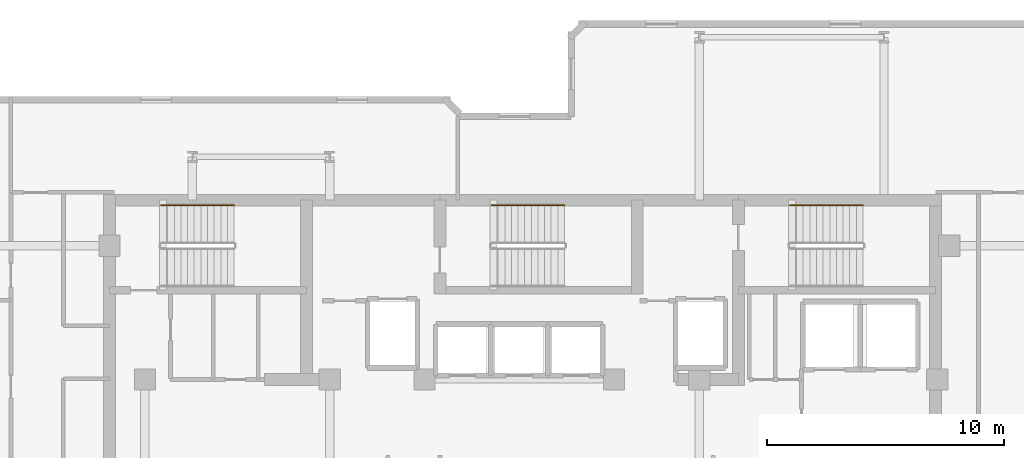
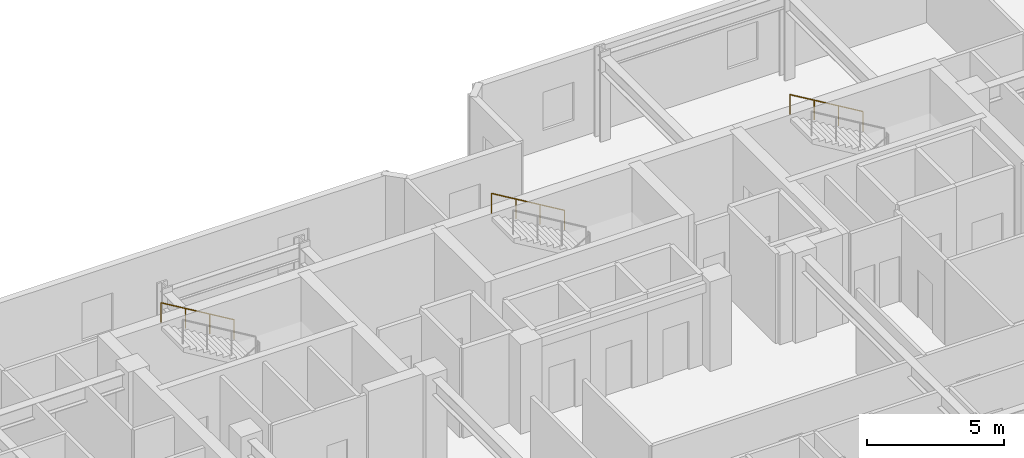
# One storey, part 11 of 11: 3 railings.
"""IFC4 building model written with IfcOpenShell, lengths in metres."""

from ifc_helpers import new_model, si_unit, direction, frame, origin, origin_2d, place, context, subcontext, project, spatial, circle, extrude, material, type_object, element, save


model = new_model("IFC4")

# Units and contexts
model_context = context("Model", 3, precision=1e-05, world=origin(), true_north=direction((0.0, 1.0)))
body_context = subcontext(model_context, "Body", "Model", "MODEL_VIEW")
ifc_project = project(units=[si_unit("LENGTHUNIT", "METRE"), si_unit("AREAUNIT", "SQUARE_METRE"), si_unit("VOLUMEUNIT", "CUBIC_METRE"), si_unit("PLANEANGLEUNIT", "RADIAN"), si_unit("MASSUNIT", "GRAM", prefix="KILO")], contexts=[model_context])

# Site, building, storey
site_placement = place(None, origin())
site = spatial("IfcSite", under=ifc_project, at=site_placement, CompositionType="ELEMENT")
building_placement = place(site_placement, origin())
building = spatial("IfcBuilding", under=site, at=building_placement, Name="Kestravale Grand Hotel", CompositionType="ELEMENT")
storey_placement = place(building_placement, frame((0.0, 0.0, 289.39990234375)))
storey = spatial("IfcBuildingStorey", under=building, at=storey_placement, Name="L72", CompositionType="ELEMENT", Elevation=289.39990234375)

# Railings
ifc_material = material(Name="Brushed stainless steel wall handrail", Category="steel")
railing_type = type_object("IfcRailingType", Name="RL-ST-HND900", PredefinedType="HANDRAIL", material=ifc_material)
railing_placement = place(storey_placement, frame((27.159912109375, 40.110107421875, 2.166748046875)))
element("IfcRailing", 1, at=railing_placement, inside=storey, type_object=railing_type, Name="L72 ST-1 stair handrail 2", PredefinedType="HANDRAIL", context=body_context, shape_type="SweptSolid", body=[
    extrude(circle(Radius=0.02392578125, at=origin_2d()), frame((0.0, 0.0, 0.8759765625), z_axis=(-0.859290745958, 0.0, 0.51148745235), x_axis=(0.0, -1.0, 0.0)), (0.0, 0.0, 1.0), 3.584228515625),
    extrude(circle(Radius=0.02099609375, at=origin_2d()), origin(), (0.0, 0.0, 1.0), 0.851806640625),
    extrude(circle(Radius=0.02099609375, at=origin_2d()), frame((-1.026611328125, 0.0, 0.611083984375)), (0.0, 0.0, 1.0), 0.851806640625),
    extrude(circle(Radius=0.02099609375, at=origin_2d()), frame((-2.05322265625, 0.0, 1.22216796875)), (0.0, 0.0, 1.0), 0.851806640625),
    extrude(circle(Radius=0.02099609375, at=origin_2d()), frame((-3.079833984375, 0.0, 1.833251953125)), (0.0, 0.0, 1.0), 0.851806640625),
])
for number, where, name in (
    (2, (41.110107421875, 40.110107421875, 2.166748046875), "L72 ST-2 stair handrail 2"),
    (3, (53.7099609375, 40.110107421875, 2.166748046875), "L72 ST-3 stair handrail 2"),
):
    element("IfcRailing", number, at=place(storey_placement, frame(where)), inside=storey, type_object=railing_type, Name=name, PredefinedType="HANDRAIL", context=body_context, shape_type="SweptSolid", body=[
        extrude(circle(Radius=0.02392578125, at=origin_2d()), frame((0.0, 0.0, 0.8759765625), z_axis=(-0.859308565015, 0.0, 0.511457515432), x_axis=(0.0, -1.0, 0.0)), (0.0, 0.0, 1.0), 3.58447265625),
        extrude(circle(Radius=0.02099609375, at=origin_2d()), origin(), (0.0, 0.0, 1.0), 0.851806640625),
        extrude(circle(Radius=0.02099609375, at=origin_2d()), frame((-1.026611328125, 0.0, 0.611083984375)), (0.0, 0.0, 1.0), 0.851806640625),
        extrude(circle(Radius=0.02099609375, at=origin_2d()), frame((-2.053466796875, 0.0, 1.22216796875)), (0.0, 0.0, 1.0), 0.851806640625),
        extrude(circle(Radius=0.02099609375, at=origin_2d()), frame((-3.080078125, 0.0, 1.833251953125)), (0.0, 0.0, 1.0), 0.851806640625),
    ])

save(model, "model.ifc")
